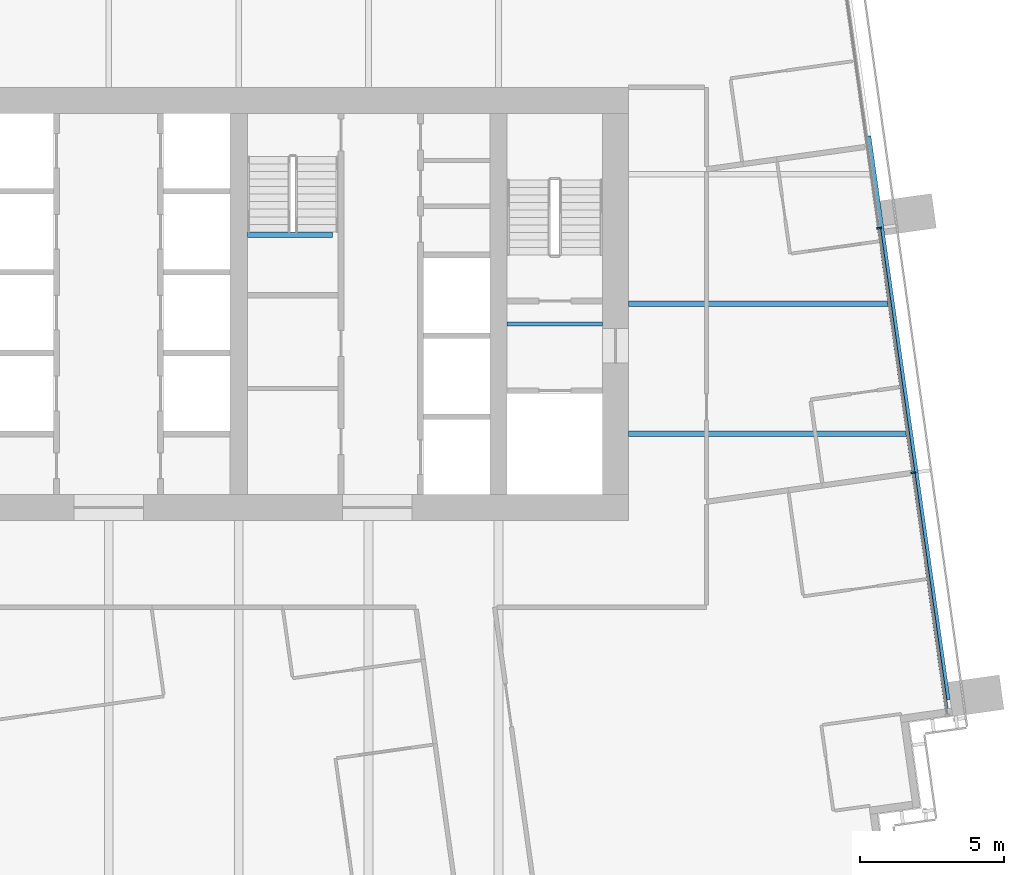
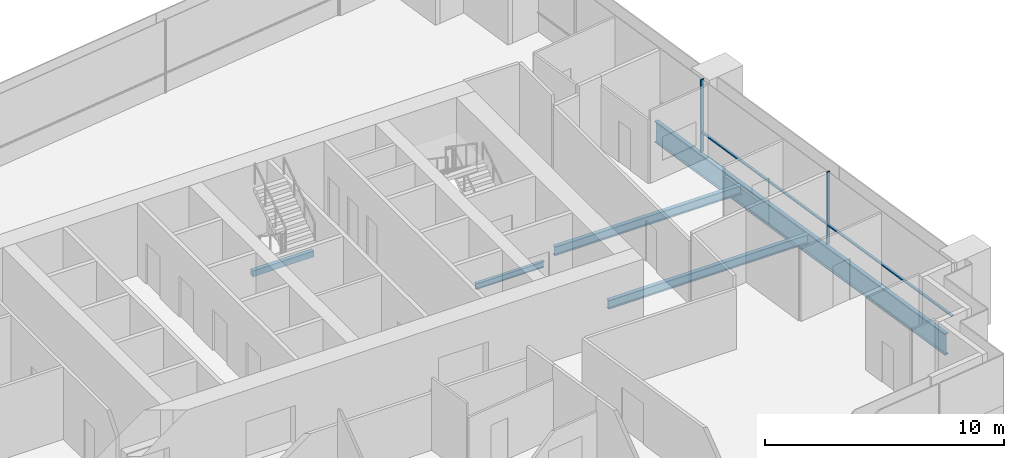
# One storey, part 5 of 18: 5 beams, 4 members, 1 element without a shape of its own.
"""IFC4 building model written with IfcOpenShell, lengths in metres."""

from ifc_helpers import new_model, si_unit, direction, frame, origin, origin_2d, place, context, subcontext, project, spatial, rectangle, i_section, extrude, material, material_profile, profile_set, type_object, element, aggregate, save


model = new_model("IFC4")

# Units and contexts
model_context = context("Model", 3, precision=1e-05, world=origin(), true_north=direction((0.0, 1.0)))
body_context = subcontext(model_context, "Body", "Model", "MODEL_VIEW")
ifc_project = project(units=[si_unit("LENGTHUNIT", "METRE"), si_unit("AREAUNIT", "SQUARE_METRE"), si_unit("VOLUMEUNIT", "CUBIC_METRE"), si_unit("PLANEANGLEUNIT", "RADIAN"), si_unit("MASSUNIT", "GRAM", prefix="KILO")], contexts=[model_context])

# Site, building, storey
site_placement = place(None, origin())
site = spatial("IfcSite", under=ifc_project, at=site_placement, CompositionType="ELEMENT")
building_placement = place(site_placement, origin())
building = spatial("IfcBuilding", under=site, at=building_placement, Name="Rattan Terrace Tower", CompositionType="ELEMENT")
storey_placement = place(building_placement, frame((0.0, 0.0, 188.0)))
storey = spatial("IfcBuildingStorey", under=building, at=storey_placement, Name="L43", CompositionType="ELEMENT", Elevation=188.0)

# Beam
ifc_material_1 = material(Name="Concrete C40/50", Category="concrete")
ifc_material_profile_1 = material_profile(ifc_material_1, rectangle(XDim=0.199951171875, YDim=0.300048828125, at=origin_2d()), Name="RC 200x300")
ifc_profile_set_1 = profile_set([ifc_material_profile_1], Name="Concrete C40/50")
beam_type_1 = type_object("IfcBeamType", Name="Core landing beam RC 200x300", PredefinedType="BEAM", material=ifc_profile_set_1)
beam_1_placement = place(storey_placement, frame((4.800048828125, 2.39990234375, 1.60009765625), z_axis=(1.0, 0.0, 0.0), x_axis=(0.0, 1.0, 0.0)))
element("IfcBeam", 1, at=beam_1_placement, inside=storey, type_object=beam_type_1, Name="st-S3-L43 landing 1 edge beam", PredefinedType="BEAM", context=body_context, shape_type="SweptSolid", body=[
    extrude(rectangle(XDim=0.199951171875, YDim=0.300048828125, at=origin_2d()), origin(), (0.0, 0.0, 1.0), 2.949951171875),
])

# Curtain wall, members
ifc_material_2 = material(Name="Aluminium and glass", Category="aluminium")
curtain_wall_type = type_object("IfcCurtainWallType", Name="Facade Unitised Curtain Wall", PredefinedType="NOTDEFINED", material=ifc_material_2)
curtain_wall_placement = place(storey_placement, origin())
curtain_wall = element("IfcCurtainWall", 2, at=curtain_wall_placement, inside=storey, type_object=curtain_wall_type, Name="Curtain wall L43-1", PredefinedType="NOTDEFINED")
ifc_material_3 = material(Name="Aluminium", Category="aluminium")
ifc_material_profile_2 = material_profile(ifc_material_3, rectangle(XDim=0.06005859375, YDim=0.159912109375, at=origin_2d()), Name="Aluminium 60x160")
ifc_profile_set_2 = profile_set([ifc_material_profile_2], Name="Aluminium")
member_type_1 = type_object("IfcMemberType", Name="Facade CW Mullion 60x160", PredefinedType="MULLION", material=ifc_profile_set_2)
member_1_placement = place(storey_placement, frame((27.857666015625, -5.8408203125, 0.0), z_axis=(0.0, 0.0, 1.0), x_axis=(-0.139190856006, 0.99026557327, 0.0)))
member_1 = element("IfcMember", 3, at=member_1_placement, type_object=member_type_1, Name="Mullion cwl-L43-001.2", PredefinedType="MULLION", context=body_context, shape_type="SweptSolid", body=[
    extrude(rectangle(XDim=0.06005859375, YDim=0.159912109375, at=origin_2d()), origin(), (0.0, 0.0, 1.0), 3.699951171875),
])
member_2_placement = place(storey_placement, frame((26.66748046875, 2.6259765625, 0.0), z_axis=(0.0, 0.0, 1.0), x_axis=(-0.139190856006, 0.99026557327, 0.0)))
member_2 = element("IfcMember", 4, at=member_2_placement, type_object=member_type_1, Name="Mullion cwl-L43-001.3", PredefinedType="MULLION", context=body_context, shape_type="SweptSolid", body=[
    extrude(rectangle(XDim=0.06005859375, YDim=0.159912109375, at=origin_2d()), origin(), (0.0, 0.0, 1.0), 3.699951171875),
])
ifc_material_4 = material(Name="Aluminium", Category="aluminium")
ifc_material_profile_3 = material_profile(ifc_material_4, rectangle(XDim=0.1201171875, YDim=0.06005859375, at=origin_2d()), Name="Aluminium 120x60")
ifc_profile_set_3 = profile_set([ifc_material_profile_3], Name="Aluminium")
member_type_2 = type_object("IfcMemberType", Name="Facade CW Transom 120x60", PredefinedType="USERDEFINED", material=ifc_profile_set_3)
member_3_placement = place(storey_placement, frame((29.032958984375, -14.20361328125, 1.0), z_axis=(-0.139174814558, 0.99026782791, 0.0), x_axis=(-0.99026782791, -0.139174814558, 0.0)))
member_3 = element("IfcMember", 5, at=member_3_placement, type_object=member_type_2, Name="Transom cwl-L43-001.1", ObjectType="TRANSOM", PredefinedType="USERDEFINED", context=body_context, shape_type="SweptSolid", body=[
    extrude(rectangle(XDim=0.1201171875, YDim=0.06005859375, at=origin_2d()), origin(), (0.0, 0.0, 1.0), 8.414794921875),
])
member_4_placement = place(storey_placement, frame((27.853515625, -5.811279296875, 1.0), z_axis=(-0.139206806234, 0.990263331189, 0.0), x_axis=(-0.990263331189, -0.139206806234, 0.0)))
member_4 = element("IfcMember", 6, at=member_4_placement, type_object=member_type_2, Name="Transom cwl-L43-001.2", ObjectType="TRANSOM", PredefinedType="USERDEFINED", context=body_context, shape_type="SweptSolid", body=[
    extrude(rectangle(XDim=0.1201171875, YDim=0.06005859375, at=origin_2d()), origin(), (0.0, 0.0, 1.0), 8.490234375),
])
aggregate(curtain_wall, [member_1, member_2, member_3, member_4])

# Beams
ifc_material_5 = material(Name="Steel S460", Category="steel")
ifc_material_profile_4 = material_profile(ifc_material_5, i_section(OverallWidth=0.179931640625, OverallDepth=1.10009765625, WebThickness=0.01611328125, FlangeThickness=0.050048828125, at=origin_2d()), Name="PG 1100x180-16-50")
ifc_profile_set_4 = profile_set([ifc_material_profile_4], Name="Steel S460")
beam_type_2 = type_object("IfcBeamType", Name="Frame edge girder PG 1100x180-16-50", PredefinedType="SPANDREL", material=ifc_profile_set_4)
beam_2_placement = place(storey_placement, frame((26.301025390625, 5.81201171875, -0.75), z_axis=(0.139187065437, -0.990266106062, 0.0), x_axis=(0.990266106062, 0.139187065437, 0.0)))
element("IfcBeam", 7, at=beam_2_placement, inside=storey, type_object=beam_type_2, Name="gdr-L43-005", PredefinedType="SPANDREL", context=body_context, shape_type="SweptSolid", body=[
    extrude(i_section(OverallWidth=0.179931640625, OverallDepth=1.10009765625, WebThickness=0.01611328125, FlangeThickness=0.050048828125, at=origin_2d()), origin(), (0.0, 0.0, 1.0), 19.706787109375),
])
ifc_material_6 = material(Name="Steel S355", Category="steel")
ifc_material_profile_5 = material_profile(ifc_material_6, i_section(OverallWidth=0.14990234375, OverallDepth=0.300048828125, WebThickness=0.007080078125, FlangeThickness=0.0107421875, FilletRadius=0.014892578125, at=origin_2d()), Name="IPE 300")
ifc_profile_set_5 = profile_set([ifc_material_profile_5], Name="Steel S355")
beam_type_3 = type_object("IfcBeamType", Name="Frame floor beam IPE 300", PredefinedType="JOIST", material=ifc_profile_set_5)
beam_3_placement = place(storey_placement, frame((13.800048828125, -0.695068359375, -0.35009765625), z_axis=(1.0, 0.0, 0.0), x_axis=(0.0, 1.0, 0.0)))
element("IfcBeam", 8, at=beam_3_placement, inside=storey, type_object=beam_type_3, Name="bm-L43-002", PredefinedType="JOIST", context=body_context, shape_type="SweptSolid", body=[
    extrude(i_section(OverallWidth=0.14990234375, OverallDepth=0.300048828125, WebThickness=0.007080078125, FlangeThickness=0.0107421875, FilletRadius=0.014892578125, at=origin_2d()), origin(), (0.0, 0.0, 1.0), 3.300048828125),
])
ifc_material_7 = material(Name="Steel S355", Category="steel")
ifc_material_profile_6 = material_profile(ifc_material_7, i_section(OverallWidth=0.18994140625, OverallDepth=0.449951171875, WebThickness=0.009521484375, FlangeThickness=0.0146484375, FilletRadius=0.02099609375, at=origin_2d()), Name="IPE 450")
ifc_profile_set_6 = profile_set([ifc_material_profile_6], Name="Steel S355")
beam_type_4 = type_object("IfcBeamType", Name="Frame floor beam IPE 450", PredefinedType="JOIST", material=ifc_profile_set_6)
beam_4_placement = place(storey_placement, frame((18.0, -4.5, -0.425048828125), z_axis=(1.0, 0.0, 0.0), x_axis=(0.0, 1.0, 0.0)))
element("IfcBeam", 9, at=beam_4_placement, inside=storey, type_object=beam_type_4, Name="bm-L43-011", PredefinedType="JOIST", context=body_context, shape_type="SweptSolid", body=[
    extrude(i_section(OverallWidth=0.18994140625, OverallDepth=0.449951171875, WebThickness=0.009521484375, FlangeThickness=0.0146484375, FilletRadius=0.02099609375, at=origin_2d()), origin(), (0.0, 0.0, 1.0), 9.64599609375),
])
beam_5_placement = place(storey_placement, frame((18.0, 0.0, -0.425048828125), z_axis=(1.0, 0.0, 0.0), x_axis=(0.0, 1.0, 0.0)))
element("IfcBeam", 10, at=beam_5_placement, inside=storey, type_object=beam_type_4, Name="bm-L43-013", PredefinedType="JOIST", context=body_context, shape_type="SweptSolid", body=[
    extrude(i_section(OverallWidth=0.18994140625, OverallDepth=0.449951171875, WebThickness=0.009521484375, FlangeThickness=0.0146484375, FilletRadius=0.02099609375, at=origin_2d()), origin(), (0.0, 0.0, 1.0), 9.013916015625),
])

save(model, "model.ifc")
